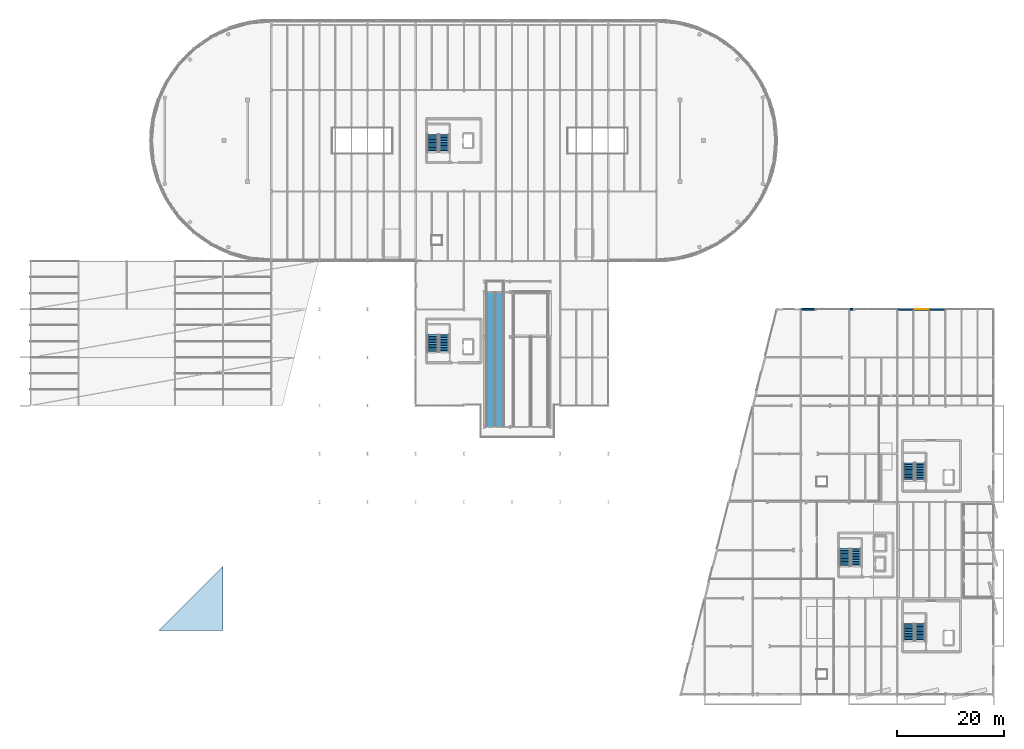
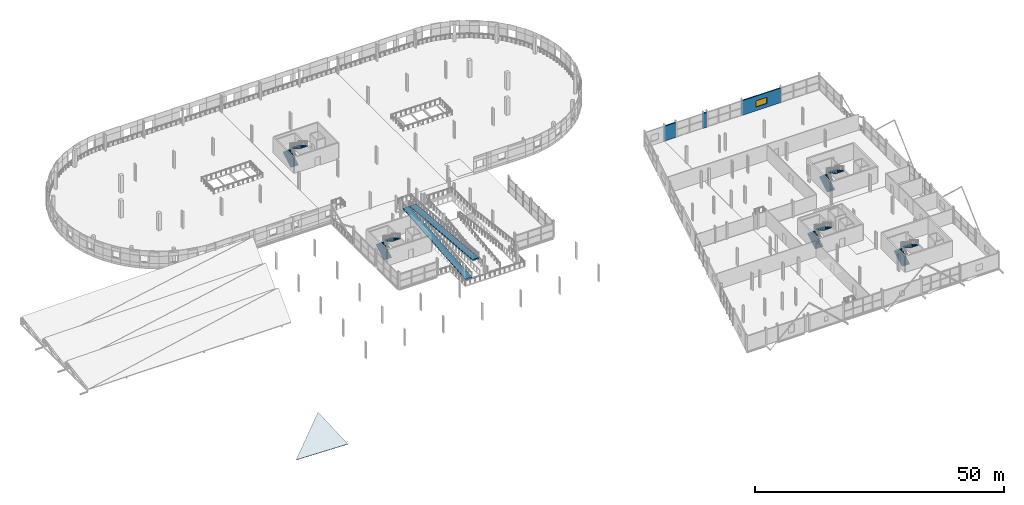
# One storey, part 88 of 103: 10 stair flights, 3 walls, 2 ramp flights, 1 roof, 1 window, 1 opening, 6 elements without a shape of their own.
"""IFC4 building model written with IfcOpenShell, lengths in metres."""

from ifc_helpers import new_model, si_unit, direction, frame, frame_2d, origin, place, context, subcontext, project, spatial, polyline, rectangle, outline, extrude, material, layer, layer_set, type_object, element, fill, aggregate, save


model = new_model("IFC4")

# Units and contexts
model_context = context("Model", 3, precision=1e-05, world=origin(), true_north=direction((0.0, 1.0)))
body_context = subcontext(model_context, "Body", "Model", "MODEL_VIEW")
ifc_project = project(units=[si_unit("LENGTHUNIT", "METRE"), si_unit("AREAUNIT", "SQUARE_METRE"), si_unit("VOLUMEUNIT", "CUBIC_METRE"), si_unit("PLANEANGLEUNIT", "RADIAN"), si_unit("MASSUNIT", "GRAM", prefix="KILO")], contexts=[model_context])

# Site, building, storey
site_placement = place(None, origin())
site = spatial("IfcSite", under=ifc_project, at=site_placement, CompositionType="ELEMENT")
building_placement = place(site_placement, origin())
building = spatial("IfcBuilding", under=site, at=building_placement, Name="Deido Ridge Mobility Hub", CompositionType="ELEMENT")
storey_placement = place(building_placement, frame((0.0, 0.0, 12.60009765625)))
storey = spatial("IfcBuildingStorey", under=building, at=storey_placement, Name="L03", CompositionType="ELEMENT", Elevation=12.60009765625)

# Walls
ifc_material_1 = material(Name="Fired clay brick masonry", Category="masonry")
ifc_layer_1 = layer(ifc_material_1, 0.294921875, Name="Fired clay brick masonry")
ifc_layer_set_1 = layer_set([ifc_layer_1], Name="Fired clay brick masonry")
wall_type_1 = type_object("IfcWallType", Name="WL-EXT-BRK-295", PredefinedType="STANDARD", material=ifc_layer_set_1)
wall_1_placement = place(storey_placement, frame((144.0087890625, 72.0, 0.0), z_axis=(0.0, 0.0, 1.0), x_axis=(1.0, 0.0, 0.0)))
element("IfcWall", 1, at=wall_1_placement, inside=storey, type_object=wall_type_1, Name="Exterior wall EW2", PredefinedType="STANDARD", context=body_context, shape_type="SweptSolid", body=[
    extrude(rectangle(XDim=2.684814453125, YDim=0.294921875, at=frame_2d((1.34228515625, 0.0))), origin(), (0.0, 0.0, 1.0), 3.6298828125),
])
ifc_material_2 = material(Name="Concrete C35/45", Category="concrete")
ifc_layer_2 = layer(ifc_material_2, 0.340087890625, Name="Concrete C35/45")
ifc_layer_set_2 = layer_set([ifc_layer_2], Name="Concrete C35/45")
wall_type_2 = type_object("IfcWallType", Name="WL-EXT-RC-340", PredefinedType="STANDARD", material=ifc_layer_set_2)
wall_2_placement = place(storey_placement, frame((153.006103515625, 72.0, 0.0), z_axis=(0.0, 0.0, 1.0), x_axis=(1.0, 0.0, 0.0)))
element("IfcWall", 2, at=wall_2_placement, inside=storey, type_object=wall_type_2, Name="Exterior wall EW5", PredefinedType="STANDARD", context=body_context, shape_type="SweptSolid", body=[
    extrude(rectangle(XDim=0.8876953125, YDim=0.340087890625, at=frame_2d((0.44384765625, 0.0))), origin(), (0.0, 0.0, 1.0), 3.6298828125),
])

# Wall, opening, window
ifc_layer_3 = layer(ifc_material_1, 0.27490234375, Name="Fired clay brick masonry")
ifc_layer_set_3 = layer_set([ifc_layer_3], Name="Fired clay brick masonry")
wall_type_3 = type_object("IfcWallType", Name="WL-PLG-BRK-275", PredefinedType="POLYGONAL", material=ifc_layer_set_3)
wall_3_placement = place(storey_placement, frame((162.006103515625, 72.0, 0.0), z_axis=(0.0, 0.0, 1.0), x_axis=(1.0, 0.0, 0.0)))
wall_3 = element("IfcWall", 3, at=wall_3_placement, inside=storey, type_object=wall_type_3, Name="Exterior wall PGW1", PredefinedType="POLYGONAL", context=body_context, shape_type="SweptSolid", body=[
    extrude(rectangle(XDim=8.98779296875, YDim=0.27490234375, at=frame_2d((4.493896484375, 0.0))), origin(), (0.0, 0.0, 1.0), 3.599853515625),
])
opening_placement = place(wall_3_placement, frame((3.21875, 0.0, 0.949951171875)))
opening = element("IfcOpeningElement", 4, at=opening_placement, cuts=wall_3, Name="Opening W12", PredefinedType="OPENING", context=body_context, shape_type="SweptSolid", body=[
    extrude(rectangle(XDim=2.550048828125, YDim=1.5, at=frame_2d((1.27490234375, 0.75))), frame((0.0, 0.1474609375, 0.0), z_axis=(0.0, -1.0, 0.0), x_axis=(1.0, 0.0, 0.0)), (0.0, 0.0, 1.0), 0.294921875),
])
ifc_material_3 = material(Name="Laminated solar-control low-E glass", Category="glass")
window_type = type_object("IfcWindowType", Name="WN-ALU-2550X1500", PartitioningType="DOUBLE_PANEL_VERTICAL", PredefinedType="WINDOW", material=ifc_material_3)
window_placement = place(opening_placement, origin())
window = element("IfcWindow", 5, at=window_placement, inside=storey, type_object=window_type, Name="Exterior window W12", OverallHeight=1.5, OverallWidth=2.550048828125, PartitioningType="SINGLE_PANEL", PredefinedType="WINDOW", context=body_context, shape_type="SweptSolid", body=[
    extrude(rectangle(XDim=2.550048828125, YDim=1.5, at=frame_2d((1.27490234375, 0.75))), frame((0.0, 0.030029296875, 0.0), z_axis=(0.0, -1.0, 0.0), x_axis=(1.0, 0.0, 0.0)), (0.0, 0.0, 1.0), 0.06005859375),
])
fill(opening, window)

# Stair, stair flights
stair_type_1 = type_object("IfcStairType", Name="ST-CORE-HALF-1520", PredefinedType="HALF_TURN_STAIR", material=ifc_material_2)
stair_1_placement = place(storey_placement, origin())
stair_1 = element("IfcStair", 6, at=stair_1_placement, inside=storey, type_object=stair_type_1, Name="Protected exit stair ST2 (L03)", PredefinedType="HALF_TURN_STAIR")
stair_flight_type_1 = type_object("IfcStairFlightType", Name="SFL-RC-1520", PredefinedType="STRAIGHT", material=ifc_material_2)
stair_flight_1_placement = place(storey_placement, frame((164.2900390625, 39.949951171875, 0.0), z_axis=(0.0, 0.0, 1.0), x_axis=(0.0, 1.0, 0.0)))
stair_flight_1 = element("IfcStairFlight", 7, at=stair_flight_1_placement, type_object=stair_flight_type_1, Name="ST2 flight 1", NumberOfRisers=12, NumberOfTreads=11, PredefinedType="STRAIGHT", RiserHeight=0.175, TreadLength=0.3, context=body_context, shape_type="SweptSolid", body=[
    extrude(outline(polyline([(0.0, 0.0), (0.0, 0.175048828125), (0.300048828125, 0.175048828125), (0.300048828125, 0.35009765625), (0.60009765625, 0.35009765625), (0.60009765625, 0.52490234375), (0.89990234375, 0.52490234375), (0.89990234375, 0.699951171875), (1.199951171875, 0.699951171875), (1.199951171875, 0.875), (1.5, 0.875), (1.5, 1.050048828125), (1.800048828125, 1.050048828125), (1.800048828125, 1.22509765625), (2.10009765625, 1.22509765625), (2.10009765625, 1.39990234375), (2.39990234375, 1.39990234375), (2.39990234375, 1.574951171875), (2.699951171875, 1.574951171875), (2.699951171875, 1.75), (3.0, 1.75), (3.0, 1.925048828125), (3.300048828125, 1.925048828125), (3.300048828125, 2.10009765625), (3.300048828125, 1.716796875), (0.357177734375, 0.0), (0.0, 0.0)])), frame((0.0, 0.89013671875, 0.0), z_axis=(0.0, -1.0, 0.0), x_axis=(1.0, 0.0, 0.0)), (0.0, 0.0, 1.0), 1.780029296875),
])
stair_flight_2_placement = place(storey_placement, frame((166.31005859375, 43.300048828125, 2.099853515625), z_axis=(0.0, 0.0, 1.0), x_axis=(0.0, -1.0, 0.0)))
stair_flight_2 = element("IfcStairFlight", 8, at=stair_flight_2_placement, type_object=stair_flight_type_1, Name="ST2 flight 2", NumberOfRisers=12, NumberOfTreads=11, PredefinedType="STRAIGHT", RiserHeight=0.175, TreadLength=0.3, context=body_context, shape_type="SweptSolid", body=[
    extrude(outline(polyline([(0.0, 0.0), (0.0, 0.175048828125), (0.300048828125, 0.175048828125), (0.300048828125, 0.35009765625), (0.60009765625, 0.35009765625), (0.60009765625, 0.52490234375), (0.89990234375, 0.52490234375), (0.89990234375, 0.699951171875), (1.199951171875, 0.699951171875), (1.199951171875, 0.875), (1.5, 0.875), (1.5, 1.050048828125), (1.800048828125, 1.050048828125), (1.800048828125, 1.22509765625), (2.10009765625, 1.22509765625), (2.10009765625, 1.39990234375), (2.39990234375, 1.39990234375), (2.39990234375, 1.574951171875), (2.699951171875, 1.574951171875), (2.699951171875, 1.75), (3.0, 1.75), (3.0, 1.925048828125), (3.300048828125, 1.925048828125), (3.300048828125, 2.10009765625), (3.300048828125, 1.716796875), (0.357177734375, 0.0), (0.0, 0.0)])), frame((0.0, 0.89013671875, 0.0), z_axis=(0.0, -1.0, 0.0), x_axis=(1.0, 0.0, 0.0)), (0.0, 0.0, 1.0), 1.780029296875),
])
aggregate(stair_1, [stair_flight_1, stair_flight_2])

stair_2_placement = place(storey_placement, origin())
stair_2 = element("IfcStair", 9, at=stair_2_placement, inside=storey, type_object=stair_type_1, Name="Protected exit stair ST3 (L03)", PredefinedType="HALF_TURN_STAIR")
stair_flight_3_placement = place(storey_placement, frame((152.2900390625, 23.949951171875, 0.0), z_axis=(0.0, 0.0, 1.0), x_axis=(0.0, 1.0, 0.0)))
stair_flight_3 = element("IfcStairFlight", 10, at=stair_flight_3_placement, type_object=stair_flight_type_1, Name="ST3 flight 1", NumberOfRisers=12, NumberOfTreads=11, PredefinedType="STRAIGHT", RiserHeight=0.175, TreadLength=0.3, context=body_context, shape_type="SweptSolid", body=[
    extrude(outline(polyline([(0.0, 0.0), (0.0, 0.175048828125), (0.300048828125, 0.175048828125), (0.300048828125, 0.35009765625), (0.60009765625, 0.35009765625), (0.60009765625, 0.52490234375), (0.89990234375, 0.52490234375), (0.89990234375, 0.699951171875), (1.199951171875, 0.699951171875), (1.199951171875, 0.875), (1.5, 0.875), (1.5, 1.050048828125), (1.800048828125, 1.050048828125), (1.800048828125, 1.22509765625), (2.10009765625, 1.22509765625), (2.10009765625, 1.39990234375), (2.39990234375, 1.39990234375), (2.39990234375, 1.574951171875), (2.699951171875, 1.574951171875), (2.699951171875, 1.75), (3.0, 1.75), (3.0, 1.925048828125), (3.300048828125, 1.925048828125), (3.300048828125, 2.10009765625), (3.300048828125, 1.716796875), (0.357177734375, 0.0), (0.0, 0.0)])), frame((0.0, 0.89013671875, 0.0), z_axis=(0.0, -1.0, 0.0), x_axis=(1.0, 0.0, 0.0)), (0.0, 0.0, 1.0), 1.780029296875),
])
stair_flight_4_placement = place(storey_placement, frame((154.31005859375, 27.300048828125, 2.099853515625), z_axis=(0.0, 0.0, 1.0), x_axis=(0.0, -1.0, 0.0)))
stair_flight_4 = element("IfcStairFlight", 11, at=stair_flight_4_placement, type_object=stair_flight_type_1, Name="ST3 flight 2", NumberOfRisers=12, NumberOfTreads=11, PredefinedType="STRAIGHT", RiserHeight=0.175, TreadLength=0.3, context=body_context, shape_type="SweptSolid", body=[
    extrude(outline(polyline([(0.0, 0.0), (0.0, 0.175048828125), (0.300048828125, 0.175048828125), (0.300048828125, 0.35009765625), (0.60009765625, 0.35009765625), (0.60009765625, 0.52490234375), (0.89990234375, 0.52490234375), (0.89990234375, 0.699951171875), (1.199951171875, 0.699951171875), (1.199951171875, 0.875), (1.5, 0.875), (1.5, 1.050048828125), (1.800048828125, 1.050048828125), (1.800048828125, 1.22509765625), (2.10009765625, 1.22509765625), (2.10009765625, 1.39990234375), (2.39990234375, 1.39990234375), (2.39990234375, 1.574951171875), (2.699951171875, 1.574951171875), (2.699951171875, 1.75), (3.0, 1.75), (3.0, 1.925048828125), (3.300048828125, 1.925048828125), (3.300048828125, 2.10009765625), (3.300048828125, 1.716796875), (0.357177734375, 0.0), (0.0, 0.0)])), frame((0.0, 0.89013671875, 0.0), z_axis=(0.0, -1.0, 0.0), x_axis=(1.0, 0.0, 0.0)), (0.0, 0.0, 1.0), 1.780029296875),
])
aggregate(stair_2, [stair_flight_3, stair_flight_4])

stair_type_2 = type_object("IfcStairType", Name="ST-CORE-DBL-1520", PredefinedType="DOUBLE_RETURN_STAIR", material=ifc_material_2)
stair_3_placement = place(storey_placement, origin())
stair_3 = element("IfcStair", 12, at=stair_3_placement, inside=storey, type_object=stair_type_2, Name="Protected exit stair ST4 (L03)", PredefinedType="DOUBLE_RETURN_STAIR")
stair_flight_5_placement = place(storey_placement, frame((75.2900390625, 63.949951171875, 0.0), z_axis=(0.0, 0.0, 1.0), x_axis=(0.0, 1.0, 0.0)))
stair_flight_5 = element("IfcStairFlight", 13, at=stair_flight_5_placement, type_object=stair_flight_type_1, Name="ST4 flight 1", NumberOfRisers=12, NumberOfTreads=11, PredefinedType="STRAIGHT", RiserHeight=0.175, TreadLength=0.3, context=body_context, shape_type="SweptSolid", body=[
    extrude(outline(polyline([(0.0, 0.0), (0.0, 0.175048828125), (0.300048828125, 0.175048828125), (0.300048828125, 0.35009765625), (0.60009765625, 0.35009765625), (0.60009765625, 0.52490234375), (0.89990234375, 0.52490234375), (0.89990234375, 0.699951171875), (1.199951171875, 0.699951171875), (1.199951171875, 0.875), (1.5, 0.875), (1.5, 1.050048828125), (1.800048828125, 1.050048828125), (1.800048828125, 1.22509765625), (2.10009765625, 1.22509765625), (2.10009765625, 1.39990234375), (2.39990234375, 1.39990234375), (2.39990234375, 1.574951171875), (2.699951171875, 1.574951171875), (2.699951171875, 1.75), (3.0, 1.75), (3.0, 1.925048828125), (3.300048828125, 1.925048828125), (3.300048828125, 2.10009765625), (3.300048828125, 1.716796875), (0.357177734375, 0.0), (0.0, 0.0)])), frame((0.0, 0.89013671875, 0.0), z_axis=(0.0, -1.0, 0.0), x_axis=(1.0, 0.0, 0.0)), (0.0, 0.0, 1.0), 1.780029296875),
])
stair_flight_6_placement = place(storey_placement, frame((77.31005859375, 67.300048828125, 2.099853515625), z_axis=(0.0, 0.0, 1.0), x_axis=(0.0, -1.0, 0.0)))
stair_flight_6 = element("IfcStairFlight", 14, at=stair_flight_6_placement, type_object=stair_flight_type_1, Name="ST4 flight 2", NumberOfRisers=12, NumberOfTreads=11, PredefinedType="STRAIGHT", RiserHeight=0.175, TreadLength=0.3, context=body_context, shape_type="SweptSolid", body=[
    extrude(outline(polyline([(0.0, 0.0), (0.0, 0.175048828125), (0.300048828125, 0.175048828125), (0.300048828125, 0.35009765625), (0.60009765625, 0.35009765625), (0.60009765625, 0.52490234375), (0.89990234375, 0.52490234375), (0.89990234375, 0.699951171875), (1.199951171875, 0.699951171875), (1.199951171875, 0.875), (1.5, 0.875), (1.5, 1.050048828125), (1.800048828125, 1.050048828125), (1.800048828125, 1.22509765625), (2.10009765625, 1.22509765625), (2.10009765625, 1.39990234375), (2.39990234375, 1.39990234375), (2.39990234375, 1.574951171875), (2.699951171875, 1.574951171875), (2.699951171875, 1.75), (3.0, 1.75), (3.0, 1.925048828125), (3.300048828125, 1.925048828125), (3.300048828125, 2.10009765625), (3.300048828125, 1.716796875), (0.357177734375, 0.0), (0.0, 0.0)])), frame((0.0, 0.89013671875, 0.0), z_axis=(0.0, -1.0, 0.0), x_axis=(1.0, 0.0, 0.0)), (0.0, 0.0, 1.0), 1.780029296875),
])
aggregate(stair_3, [stair_flight_5, stair_flight_6])

stair_4_placement = place(storey_placement, origin())
stair_4 = element("IfcStair", 15, at=stair_4_placement, inside=storey, type_object=stair_type_2, Name="Protected exit stair ST5 (L03)", PredefinedType="DOUBLE_RETURN_STAIR")
stair_flight_7_placement = place(storey_placement, frame((75.2900390625, 101.35009765625, 0.0), z_axis=(0.0, 0.0, 1.0), x_axis=(0.0, 1.0, 0.0)))
stair_flight_7 = element("IfcStairFlight", 16, at=stair_flight_7_placement, type_object=stair_flight_type_1, Name="ST5 flight 1", NumberOfRisers=12, NumberOfTreads=11, PredefinedType="STRAIGHT", RiserHeight=0.175, TreadLength=0.3, context=body_context, shape_type="SweptSolid", body=[
    extrude(outline(polyline([(0.0, 0.0), (0.0, 0.175048828125), (0.300048828125, 0.175048828125), (0.300048828125, 0.35009765625), (0.60009765625, 0.35009765625), (0.60009765625, 0.52490234375), (0.89990234375, 0.52490234375), (0.89990234375, 0.699951171875), (1.199951171875, 0.699951171875), (1.199951171875, 0.875), (1.5, 0.875), (1.5, 1.050048828125), (1.800048828125, 1.050048828125), (1.800048828125, 1.22509765625), (2.10009765625, 1.22509765625), (2.10009765625, 1.39990234375), (2.39990234375, 1.39990234375), (2.39990234375, 1.574951171875), (2.699951171875, 1.574951171875), (2.699951171875, 1.75), (3.0, 1.75), (3.0, 1.925048828125), (3.300048828125, 1.925048828125), (3.300048828125, 2.10009765625), (3.300048828125, 1.716796875), (0.357177734375, 0.0), (0.0, 0.0)])), frame((0.0, 0.89013671875, 0.0), z_axis=(0.0, -1.0, 0.0), x_axis=(1.0, 0.0, 0.0)), (0.0, 0.0, 1.0), 1.780029296875),
])
stair_flight_8_placement = place(storey_placement, frame((77.31005859375, 104.699951171875, 2.099853515625), z_axis=(0.0, 0.0, 1.0), x_axis=(0.0, -1.0, 0.0)))
stair_flight_8 = element("IfcStairFlight", 17, at=stair_flight_8_placement, type_object=stair_flight_type_1, Name="ST5 flight 2", NumberOfRisers=12, NumberOfTreads=11, PredefinedType="STRAIGHT", RiserHeight=0.175, TreadLength=0.3, context=body_context, shape_type="SweptSolid", body=[
    extrude(outline(polyline([(0.0, 0.0), (0.0, 0.175048828125), (0.300048828125, 0.175048828125), (0.300048828125, 0.35009765625), (0.60009765625, 0.35009765625), (0.60009765625, 0.52490234375), (0.89990234375, 0.52490234375), (0.89990234375, 0.699951171875), (1.199951171875, 0.699951171875), (1.199951171875, 0.875), (1.5, 0.875), (1.5, 1.050048828125), (1.800048828125, 1.050048828125), (1.800048828125, 1.22509765625), (2.10009765625, 1.22509765625), (2.10009765625, 1.39990234375), (2.39990234375, 1.39990234375), (2.39990234375, 1.574951171875), (2.699951171875, 1.574951171875), (2.699951171875, 1.75), (3.0, 1.75), (3.0, 1.925048828125), (3.300048828125, 1.925048828125), (3.300048828125, 2.10009765625), (3.300048828125, 1.716796875), (0.357177734375, 0.0), (0.0, 0.0)])), frame((0.0, 0.89013671875, 0.0), z_axis=(0.0, -1.0, 0.0), x_axis=(1.0, 0.0, 0.0)), (0.0, 0.0, 1.0), 1.780029296875),
])
aggregate(stair_4, [stair_flight_7, stair_flight_8])

stair_5_placement = place(storey_placement, origin())
stair_5 = element("IfcStair", 18, at=stair_5_placement, inside=storey, type_object=stair_type_1, Name="Protected exit stair ST1 (L03)", PredefinedType="HALF_TURN_STAIR")
stair_flight_type_2 = type_object("IfcStairFlightType", Name="SFL-RC-1560", PredefinedType="STRAIGHT", material=ifc_material_2)
stair_flight_9_placement = place(storey_placement, frame((164.2900390625, 9.949951171875, 0.0), z_axis=(0.0, 0.0, 1.0), x_axis=(0.0, 1.0, 0.0)))
stair_flight_9 = element("IfcStairFlight", 19, at=stair_flight_9_placement, type_object=stair_flight_type_2, Name="ST1 flight 1", NumberOfRisers=12, NumberOfTreads=11, PredefinedType="STRAIGHT", RiserHeight=0.175, TreadLength=0.3, context=body_context, shape_type="SweptSolid", body=[
    extrude(outline(polyline([(0.0, 0.0), (0.0, 0.175048828125), (0.300048828125, 0.175048828125), (0.300048828125, 0.35009765625), (0.60009765625, 0.35009765625), (0.60009765625, 0.52490234375), (0.89990234375, 0.52490234375), (0.89990234375, 0.699951171875), (1.199951171875, 0.699951171875), (1.199951171875, 0.875), (1.5, 0.875), (1.5, 1.050048828125), (1.800048828125, 1.050048828125), (1.800048828125, 1.22509765625), (2.10009765625, 1.22509765625), (2.10009765625, 1.39990234375), (2.39990234375, 1.39990234375), (2.39990234375, 1.574951171875), (2.699951171875, 1.574951171875), (2.699951171875, 1.75), (3.0, 1.75), (3.0, 1.925048828125), (3.300048828125, 1.925048828125), (3.300048828125, 2.10009765625), (3.300048828125, 1.716796875), (0.357177734375, 0.0), (0.0, 0.0)])), frame((0.0, 0.89013671875, 0.0), z_axis=(0.0, -1.0, 0.0), x_axis=(1.0, 0.0, 0.0)), (0.0, 0.0, 1.0), 1.780029296875),
])
stair_flight_10_placement = place(storey_placement, frame((166.31005859375, 13.300048828125, 2.099853515625), z_axis=(0.0, 0.0, 1.0), x_axis=(0.0, -1.0, 0.0)))
stair_flight_10 = element("IfcStairFlight", 20, at=stair_flight_10_placement, type_object=stair_flight_type_2, Name="ST1 flight 2", NumberOfRisers=12, NumberOfTreads=11, PredefinedType="STRAIGHT", RiserHeight=0.175, TreadLength=0.3, context=body_context, shape_type="SweptSolid", body=[
    extrude(outline(polyline([(0.0, 0.0), (0.0, 0.175048828125), (0.300048828125, 0.175048828125), (0.300048828125, 0.35009765625), (0.60009765625, 0.35009765625), (0.60009765625, 0.52490234375), (0.89990234375, 0.52490234375), (0.89990234375, 0.699951171875), (1.199951171875, 0.699951171875), (1.199951171875, 0.875), (1.5, 0.875), (1.5, 1.050048828125), (1.800048828125, 1.050048828125), (1.800048828125, 1.22509765625), (2.10009765625, 1.22509765625), (2.10009765625, 1.39990234375), (2.39990234375, 1.39990234375), (2.39990234375, 1.574951171875), (2.699951171875, 1.574951171875), (2.699951171875, 1.75), (3.0, 1.75), (3.0, 1.925048828125), (3.300048828125, 1.925048828125), (3.300048828125, 2.10009765625), (3.300048828125, 1.716796875), (0.357177734375, 0.0), (0.0, 0.0)])), frame((0.0, 0.89013671875, 0.0), z_axis=(0.0, -1.0, 0.0), x_axis=(1.0, 0.0, 0.0)), (0.0, 0.0, 1.0), 1.780029296875),
])
aggregate(stair_5, [stair_flight_9, stair_flight_10])

# Ramp, ramp flights
ramp_type = type_object("IfcRampType", Name="RAMP-CYC-STRAIGHT", PredefinedType="STRAIGHT_RUN_RAMP", material=ifc_material_2)
ramp_placement = place(storey_placement, origin())
ramp = element("IfcRamp", 21, at=ramp_placement, inside=storey, type_object=ramp_type, Name="Cycle and accessible ramp CR1 L03", PredefinedType="STRAIGHT_RUN_RAMP")
ifc_layer_4 = layer(ifc_material_2, 0.284912109375, Name="Concrete C35/45")
ifc_layer_set_4 = layer_set([ifc_layer_4], Name="Concrete C35/45")
ramp_flight_type = type_object("IfcRampFlightType", Name="RFL-CYC-220", PredefinedType="STRAIGHT", material=ifc_layer_set_4)
ramp_flight_1_placement = place(storey_placement, frame((86.0, 50.0, 0.0), z_axis=(0.0, 0.0, 1.0), x_axis=(0.0, 1.0, 0.0)))
ramp_flight_1 = element("IfcRampFlight", 22, at=ramp_flight_1_placement, type_object=ramp_flight_type, Name="Cycle ramp flight L03-1", PredefinedType="STRAIGHT", context=body_context, shape_type="SweptSolid", body=[
    extrude(outline(polyline([(0.0, 0.0), (0.0, -0.284912109375), (25.199951171875, 1.815185546875), (25.199951171875, 2.10009765625), (0.0, 0.0)])), frame((0.0, 0.72509765625, 0.0), z_axis=(0.0, -1.0, 0.0), x_axis=(1.0, 0.0, 0.0)), (0.0, 0.0, 1.0), 1.449951171875),
])
ramp_flight_2_placement = place(storey_placement, frame((87.60009765625, 75.199951171875, 2.099853515625), z_axis=(0.0, 0.0, 1.0), x_axis=(0.0, -1.0, 0.0)))
ramp_flight_2 = element("IfcRampFlight", 23, at=ramp_flight_2_placement, type_object=ramp_flight_type, Name="Cycle ramp flight L03-2", PredefinedType="STRAIGHT", context=body_context, shape_type="SweptSolid", body=[
    extrude(outline(polyline([(0.0, 0.0), (0.0, -0.284912109375), (25.199951171875, 1.815185546875), (25.199951171875, 2.10009765625), (0.0, 0.0)])), frame((0.0, 0.72509765625, 0.0), z_axis=(0.0, -1.0, 0.0), x_axis=(1.0, 0.0, 0.0)), (0.0, 0.0, 1.0), 1.449951171875),
])
aggregate(ramp, [ramp_flight_1, ramp_flight_2])

# Roof
ifc_material_4 = material(Name="PTFE coated glass-fibre architectural membrane", Category="glass")
ifc_layer_5 = layer(ifc_material_4, 0.080078125, Name="PTFE coated glass-fibre architectural membrane")
ifc_layer_set_5 = layer_set([ifc_layer_5], Name="PTFE coated glass-fibre architectural membrane")
roof_type = type_object("IfcRoofType", Name="ROOF-CABLE-FREEFORM", PredefinedType="FREEFORM", material=ifc_layer_set_5)
roof_placement = place(storey_placement, frame((24.0, 12.0, 0.17822265625), z_axis=(0.027183431555, -0.045488567452, 0.998594938541), x_axis=(0.999629695867, 0.0, -0.027211599387)))
element("IfcRoof", 24, at=roof_placement, inside=storey, type_object=roof_type, Name="PTFE saddle canopy sector 3A", PredefinedType="FREEFORM", context=body_context, shape_type="SweptSolid", body=[
    extrude(outline(polyline([(0.0, 0.0), (12.004445295709473, -1.734723475976807e-18), (11.989570595751589, 12.012434559227462), (0.0, 0.0)])), origin(), (0.0, 0.0, -1.0), 0.080078125),
])

save(model, "model.ifc")
